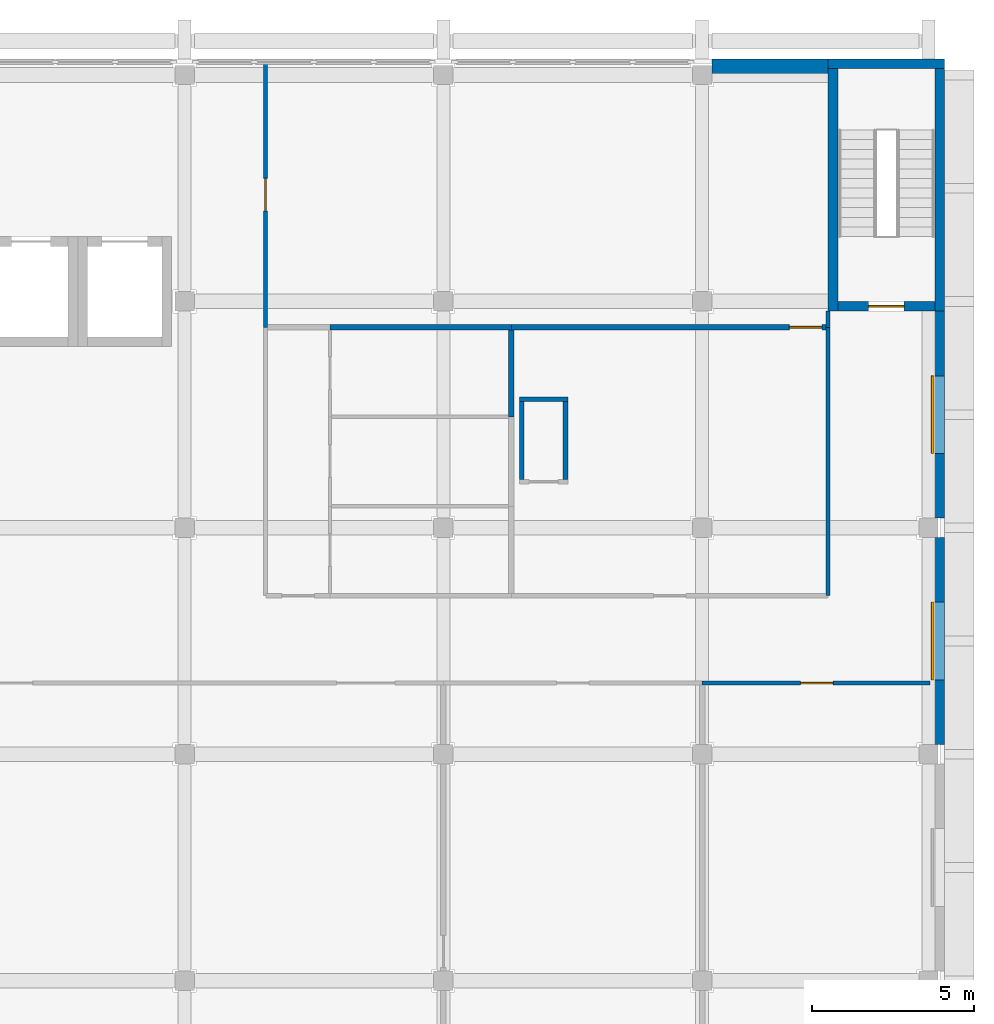
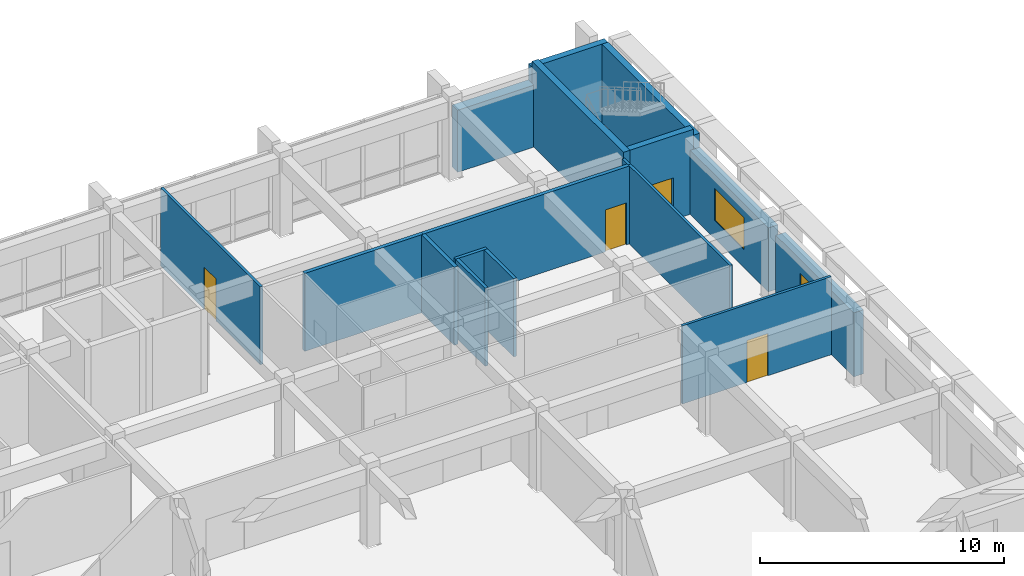
# One storey, part 36 of 43: 17 walls, 4 doors, 2 windows, 6 openings.
"""IFC4 building model written with IfcOpenShell, lengths in metres."""

from ifc_helpers import new_model, si_unit, direction, frame, frame_2d, origin, place, context, subcontext, project, spatial, rectangle, extrude, material, layer, layer_set, type_object, element, fill, save


model = new_model("IFC4")

# Units and contexts
model_context = context("Model", 3, precision=1e-05, world=origin(), true_north=direction((0.0, 1.0)))
body_context = subcontext(model_context, "Body", "Model", "MODEL_VIEW")
ifc_project = project(units=[si_unit("LENGTHUNIT", "METRE"), si_unit("AREAUNIT", "SQUARE_METRE"), si_unit("VOLUMEUNIT", "CUBIC_METRE"), si_unit("PLANEANGLEUNIT", "RADIAN"), si_unit("MASSUNIT", "GRAM", prefix="KILO")], contexts=[model_context])

# Site, building, storey
site_placement = place(None, origin())
site = spatial("IfcSite", under=ifc_project, at=site_placement, CompositionType="ELEMENT")
building_placement = place(site_placement, origin())
building = spatial("IfcBuilding", under=site, at=building_placement, Name="Elmora Arch Market Hall", CompositionType="ELEMENT")
storey_placement = place(building_placement, frame((0.0, 0.0, 10.199951171875)))
storey = spatial("IfcBuildingStorey", under=building, at=storey_placement, Name="L02", CompositionType="ELEMENT", Elevation=10.199951171875)

# Walls
ifc_material_1 = material(Name="Blockwork", Category="masonry")
ifc_layer_1 = layer(ifc_material_1, 0.14990234375)
ifc_layer_set_1 = layer_set([ifc_layer_1], Name="Blockwork")
wall_type_1 = type_object("IfcWallType", Name="Blockwork partition 150 EI 120", PredefinedType="PARTITIONING", material=ifc_layer_set_1)
wall_1_placement = place(storey_placement, frame((120.925048828125, 153.0, 0.0), z_axis=(0.0, 0.0, 1.0), x_axis=(0.0, 1.0, 0.0)))
element("IfcWall", 1, at=wall_1_placement, inside=storey, type_object=wall_type_1, Name="Riser wall L02 06", PredefinedType="PARTITIONING", context=body_context, shape_type="SweptSolid", body=[
    extrude(rectangle(XDim=2.39990234375, YDim=0.14990234375, at=frame_2d((1.199951171875, 0.0))), origin(), (0.0, 0.0, 1.0), 3.900146484375),
])
wall_2_placement = place(storey_placement, frame((120.85009765625, 155.47509765625, 0.0), z_axis=(0.0, 0.0, 1.0), x_axis=(1.0, 0.0, 0.0)))
element("IfcWall", 2, at=wall_2_placement, inside=storey, type_object=wall_type_1, Name="Riser wall L02 07", PredefinedType="PARTITIONING", context=body_context, shape_type="SweptSolid", body=[
    extrude(rectangle(XDim=1.5, YDim=0.14990234375, at=frame_2d((0.75, 0.0))), origin(), (0.0, 0.0, 1.0), 3.900146484375),
])
wall_3_placement = place(storey_placement, frame((122.27490234375, 153.0, 0.0), z_axis=(0.0, 0.0, 1.0), x_axis=(0.0, 1.0, 0.0)))
element("IfcWall", 3, at=wall_3_placement, inside=storey, type_object=wall_type_1, Name="Riser wall L02 08", PredefinedType="PARTITIONING", context=body_context, shape_type="SweptSolid", body=[
    extrude(rectangle(XDim=2.39990234375, YDim=0.14990234375, at=frame_2d((1.199951171875, 0.0))), origin(), (0.0, 0.0, 1.0), 3.900146484375),
])
ifc_material_2 = material(Name="Concrete C40/50", Category="concrete")
ifc_layer_2 = layer(ifc_material_2, 0.300048828125)
ifc_layer_set_2 = layer_set([ifc_layer_2], Name="Concrete C40/50")
wall_type_2 = type_object("IfcWallType", Name="Board-marked concrete wall 300", PredefinedType="SOLIDWALL", material=ifc_layer_set_2)
wall_4_placement = place(storey_placement, frame((130.39990234375, 165.85009765625, 0.0), z_axis=(0.0, 0.0, 1.0), x_axis=(1.0, 0.0, 0.0)))
element("IfcWall", 4, at=wall_4_placement, inside=storey, type_object=wall_type_2, Name="School stair wall N L02 2", PredefinedType="SOLIDWALL", context=body_context, shape_type="SweptSolid", body=[
    extrude(rectangle(XDim=3.60009765625, YDim=0.300048828125, at=frame_2d((1.800048828125, 0.0))), origin(), (0.0, 0.0, 1.0), 3.900146484375),
])
wall_5_placement = place(storey_placement, frame((133.85009765625, 165.699951171875, 0.0), z_axis=(0.0, 0.0, 1.0), x_axis=(0.0, -1.0, 0.0)))
element("IfcWall", 5, at=wall_5_placement, inside=storey, type_object=wall_type_2, Name="School stair wall E L02 1", PredefinedType="SOLIDWALL", context=body_context, shape_type="SweptSolid", body=[
    extrude(rectangle(XDim=7.5, YDim=0.300048828125, at=frame_2d((3.75, 0.0))), origin(), (0.0, 0.0, 1.0), 3.900146484375),
])
ifc_material_3 = material(Name="Concrete C40/50", Category="concrete")
ifc_layer_3 = layer(ifc_material_3, 0.449951171875)
ifc_layer_set_3 = layer_set([ifc_layer_3], Name="Concrete C40/50")
wall_type_3 = type_object("IfcWallType", Name="Board-marked concrete wall 450", PredefinedType="SOLIDWALL", material=ifc_layer_set_3)
wall_6_placement = place(storey_placement, frame((126.800048828125, 165.77490234375, 0.0), z_axis=(0.0, 0.0, 1.0), x_axis=(1.0, 0.0, 0.0)))
element("IfcWall", 6, at=wall_6_placement, inside=storey, type_object=wall_type_3, Name="School facade wall N L02 8", PredefinedType="SOLIDWALL", context=body_context, shape_type="SweptSolid", body=[
    extrude(rectangle(XDim=3.599853515625, YDim=0.449951171875, at=frame_2d((1.7998046875, 0.0))), origin(), (0.0, 0.0, 1.0), 3.10009765625),
])

# Wall, opening, window
wall_7_placement = place(storey_placement, frame((133.77490234375, 151.199951171875, 0.0), z_axis=(0.0, 0.0, 1.0), x_axis=(0.0, -1.0, 0.0)))
wall_7 = element("IfcWall", 7, at=wall_7_placement, inside=storey, type_object=wall_type_3, Name="School facade wall E L02 4", PredefinedType="SOLIDWALL", context=body_context, shape_type="SweptSolid", body=[
    extrude(rectangle(XDim=6.39990234375, YDim=0.449951171875, at=frame_2d((3.199951171875, 0.0))), origin(), (0.0, 0.0, 1.0), 3.199951171875),
])
opening_1_placement = place(wall_7_placement, frame((2.0, 0.0, 0.89990234375)))
opening_1 = element("IfcOpeningElement", 8, at=opening_1_placement, cuts=wall_7, Name="Opening WB2", PredefinedType="OPENING", context=body_context, shape_type="SweptSolid", body=[
    extrude(rectangle(XDim=2.39990234375, YDim=1.60009765625, at=frame_2d((1.199951171875, 0.800048828125))), frame((0.0, 0.23486328125, 0.0), z_axis=(0.0, -1.0, 0.0), x_axis=(1.0, 0.0, 0.0)), (0.0, 0.0, 1.0), 0.469970703125),
])
ifc_material_4 = material(Name="Aluminium", Category="aluminium")
window_type = type_object("IfcWindowType", Name="School end band window 2400x1600", PartitioningType="SINGLE_PANEL", PredefinedType="WINDOW", material=ifc_material_4)
window_1_placement = place(opening_1_placement, origin())
window_1 = element("IfcWindow", 9, at=window_1_placement, inside=storey, type_object=window_type, Name="Window WB2 L02 E113", OverallHeight=1.60009765625, OverallWidth=2.39990234375, PartitioningType="SINGLE_PANEL", PredefinedType="WINDOW", context=body_context, shape_type="SweptSolid", body=[
    extrude(rectangle(XDim=2.39990234375, YDim=1.60009765625, at=frame_2d((1.199951171875, 0.800048828125))), frame((0.0, -0.125, 0.0), z_axis=(0.0, -1.0, 0.0), x_axis=(1.0, 0.0, 0.0)), (0.0, 0.0, 1.0), 0.06005859375),
])
fill(opening_1, window_1)

wall_8_placement = place(storey_placement, frame((133.77490234375, 158.199951171875, 0.0), z_axis=(0.0, 0.0, 1.0), x_axis=(0.0, -1.0, 0.0)))
wall_8 = element("IfcWall", 10, at=wall_8_placement, inside=storey, type_object=wall_type_3, Name="School facade wall E L02 5", PredefinedType="SOLIDWALL", context=body_context, shape_type="SweptSolid", body=[
    extrude(rectangle(XDim=6.39990234375, YDim=0.449951171875, at=frame_2d((3.199951171875, 0.0))), origin(), (0.0, 0.0, 1.0), 3.199951171875),
])
opening_2_placement = place(wall_8_placement, frame((2.0, 0.0, 0.89990234375)))
opening_2 = element("IfcOpeningElement", 11, at=opening_2_placement, cuts=wall_8, Name="Opening WB2", PredefinedType="OPENING", context=body_context, shape_type="SweptSolid", body=[
    extrude(rectangle(XDim=2.39990234375, YDim=1.60009765625, at=frame_2d((1.199951171875, 0.800048828125))), frame((0.0, 0.23486328125, 0.0), z_axis=(0.0, -1.0, 0.0), x_axis=(1.0, 0.0, 0.0)), (0.0, 0.0, 1.0), 0.469970703125),
])
window_2_placement = place(opening_2_placement, origin())
window_2 = element("IfcWindow", 12, at=window_2_placement, inside=storey, type_object=window_type, Name="Window WB2 L02 E114", OverallHeight=1.60009765625, OverallWidth=2.39990234375, PartitioningType="SINGLE_PANEL", PredefinedType="WINDOW", context=body_context, shape_type="SweptSolid", body=[
    extrude(rectangle(XDim=2.39990234375, YDim=1.60009765625, at=frame_2d((1.199951171875, 0.800048828125))), frame((0.0, -0.125, 0.0), z_axis=(0.0, -1.0, 0.0), x_axis=(1.0, 0.0, 0.0)), (0.0, 0.0, 1.0), 0.06005859375),
])
fill(opening_2, window_2)

# Wall, opening, door
ifc_material_5 = material(Name="Gypsum board on metal studs")
ifc_layer_4 = layer(ifc_material_5, 0.125)
ifc_layer_set_4 = layer_set([ifc_layer_4], Name="Gypsum board on metal studs")
wall_type_4 = type_object("IfcWallType", Name="Partition 125 EI 60", PredefinedType="PARTITIONING", material=ifc_layer_set_4)
wall_9_placement = place(storey_placement, frame((126.5, 146.699951171875, 0.0), z_axis=(0.0, 0.0, 1.0), x_axis=(1.0, 0.0, 0.0)))
wall_9 = element("IfcWall", 13, at=wall_9_placement, inside=storey, type_object=wall_type_4, Name="Partition PT-L02-019", PredefinedType="PARTITIONING", context=body_context, shape_type="SweptSolid", body=[
    extrude(rectangle(XDim=7.050048828125, YDim=0.125, at=frame_2d((3.52490234375, 0.0))), origin(), (0.0, 0.0, 1.0), 3.900146484375),
])
opening_3_placement = place(wall_9_placement, frame((3.050048828125, 0.0, 0.0)))
opening_3 = element("IfcOpeningElement", 14, at=opening_3_placement, cuts=wall_9, Name="Opening D-L02-020", PredefinedType="OPENING", context=body_context, shape_type="SweptSolid", body=[
    extrude(rectangle(XDim=1.0, YDim=2.10009765625, at=frame_2d((0.5, 1.050048828125))), frame((0.0, 0.072509765625, 0.0), z_axis=(0.0, -1.0, 0.0), x_axis=(1.0, 0.0, 0.0)), (0.0, 0.0, 1.0), 0.14501953125),
])
ifc_material_6 = material(Name="Steel ASTM A653 galvanised", Category="steel")
door_type_1 = type_object("IfcDoorType", Name="Door 1000 x 2100 FD45", OperationType="SINGLE_SWING_LEFT", PredefinedType="DOOR", material=ifc_material_6)
door_1_placement = place(opening_3_placement, frame((1.0, 0.0, 0.0), z_axis=(0.0, 0.0, 1.0), x_axis=(-1.0, 0.0, 0.0)))
door_1 = element("IfcDoor", 15, at=door_1_placement, inside=storey, type_object=door_type_1, Name="D-L02-020", OperationType="SINGLE_SWING_RIGHT", OverallHeight=2.10009765625, OverallWidth=1.0, PredefinedType="DOOR", context=body_context, shape_type="SweptSolid", body=[
    extrude(rectangle(XDim=1.0, YDim=2.10009765625, at=frame_2d((0.5, 1.050048828125))), frame((0.0, 0.02490234375, 0.0), z_axis=(0.0, -1.0, 0.0), x_axis=(1.0, 0.0, 0.0)), (0.0, 0.0, 1.0), 0.050048828125),
])
fill(opening_3, door_1)

wall_10_placement = place(storey_placement, frame((113.0, 157.699951171875, 0.0), z_axis=(0.0, 0.0, 1.0), x_axis=(0.0, 1.0, 0.0)))
wall_10 = element("IfcWall", 16, at=wall_10_placement, inside=storey, type_object=wall_type_4, Name="Partition PT-L02-050", PredefinedType="PARTITIONING", context=body_context, shape_type="SweptSolid", body=[
    extrude(rectangle(XDim=8.150146484375, YDim=0.125, at=frame_2d((4.0751953125, 0.0))), origin(), (0.0, 0.0, 1.0), 3.900146484375),
])
opening_4_placement = place(wall_10_placement, frame((3.60009765625, 0.0, 0.0)))
opening_4 = element("IfcOpeningElement", 17, at=opening_4_placement, cuts=wall_10, Name="Opening D-L02-033", PredefinedType="OPENING", context=body_context, shape_type="SweptSolid", body=[
    extrude(rectangle(XDim=1.0, YDim=2.10009765625, at=frame_2d((0.5, 1.050048828125))), frame((0.0, 0.072509765625, 0.0), z_axis=(0.0, -1.0, 0.0), x_axis=(1.0, 0.0, 0.0)), (0.0, 0.0, 1.0), 0.14501953125),
])
door_2_placement = place(opening_4_placement, frame((1.0, 0.0, 0.0), z_axis=(0.0, 0.0, 1.0), x_axis=(-1.0, 0.0, 0.0)))
door_2 = element("IfcDoor", 18, at=door_2_placement, inside=storey, type_object=door_type_1, Name="D-L02-033", OperationType="SINGLE_SWING_RIGHT", OverallHeight=2.10009765625, OverallWidth=1.0, PredefinedType="DOOR", context=body_context, shape_type="SweptSolid", body=[
    extrude(rectangle(XDim=1.0, YDim=2.10009765625, at=frame_2d((0.5, 1.050048828125))), frame((0.0, 0.02490234375, 0.0), z_axis=(0.0, -1.0, 0.0), x_axis=(1.0, 0.0, 0.0)), (0.0, 0.0, 1.0), 0.050048828125),
])
fill(opening_4, door_2)

# Walls
wall_11_placement = place(storey_placement, frame((130.39990234375, 149.409912109375, 0.0), z_axis=(0.0, 0.0, 1.0), x_axis=(0.0, 1.0, 0.0)))
element("IfcWall", 19, at=wall_11_placement, inside=storey, type_object=wall_type_4, Name="Partition PT-L02-059", PredefinedType="PARTITIONING", context=body_context, shape_type="SweptSolid", body=[
    extrude(rectangle(XDim=8.2900390625, YDim=0.125, at=frame_2d((4.14501953125, 0.0))), origin(), (0.0, 0.0, 1.0), 3.900146484375),
])
wall_12_placement = place(storey_placement, frame((130.39990234375, 157.699951171875, 0.0), z_axis=(0.0, 0.0, 1.0), x_axis=(0.0, 1.0, 0.0)))
element("IfcWall", 20, at=wall_12_placement, inside=storey, type_object=wall_type_4, Name="Partition PT-L02-060", PredefinedType="PARTITIONING", context=body_context, shape_type="SweptSolid", body=[
    extrude(rectangle(XDim=0.5, YDim=0.125, at=frame_2d((0.25, 0.0))), origin(), (0.0, 0.0, 1.0), 3.900146484375),
])
ifc_material_7 = material(Name="Gypsum board on metal studs")
ifc_layer_5 = layer(ifc_material_7, 0.175048828125)
ifc_layer_set_5 = layer_set([ifc_layer_5], Name="Gypsum board on metal studs")
wall_type_5 = type_object("IfcWallType", Name="Partition 175 EI 60", PredefinedType="PARTITIONING", material=ifc_layer_set_5)
wall_13_placement = place(storey_placement, frame((115.0, 157.699951171875, 0.0), z_axis=(0.0, 0.0, 1.0), x_axis=(1.0, 0.0, 0.0)))
element("IfcWall", 21, at=wall_13_placement, inside=storey, type_object=wall_type_5, Name="Partition PT-L02-028", PredefinedType="PARTITIONING", context=body_context, shape_type="SweptSolid", body=[
    extrude(rectangle(XDim=5.60009765625, YDim=0.175048828125, at=frame_2d((2.800048828125, 0.0))), origin(), (0.0, 0.0, 1.0), 3.900146484375),
])

# Wall, opening, door
wall_14_placement = place(storey_placement, frame((120.60009765625, 157.699951171875, 0.0), z_axis=(0.0, 0.0, 1.0), x_axis=(1.0, 0.0, 0.0)))
wall_14 = element("IfcWall", 22, at=wall_14_placement, inside=storey, type_object=wall_type_5, Name="Partition PT-L02-029", PredefinedType="PARTITIONING", context=body_context, shape_type="SweptSolid", body=[
    extrude(rectangle(XDim=9.7373046875, YDim=0.175048828125, at=frame_2d((4.86865234375, 0.0))), origin(), (0.0, 0.0, 1.0), 3.900146484375),
])
opening_5_placement = place(wall_14_placement, frame((8.60009765625, 0.0, 0.0)))
opening_5 = element("IfcOpeningElement", 23, at=opening_5_placement, cuts=wall_14, Name="Opening D-L02-031", PredefinedType="OPENING", context=body_context, shape_type="SweptSolid", body=[
    extrude(rectangle(XDim=1.0, YDim=2.10009765625, at=frame_2d((0.5, 1.050048828125))), frame((0.0, 0.097412109375, 0.0), z_axis=(0.0, -1.0, 0.0), x_axis=(1.0, 0.0, 0.0)), (0.0, 0.0, 1.0), 0.195068359375),
])
door_3_placement = place(opening_5_placement, frame((1.0, 0.0, 0.0), z_axis=(0.0, 0.0, 1.0), x_axis=(-1.0, 0.0, 0.0)))
door_3 = element("IfcDoor", 24, at=door_3_placement, inside=storey, type_object=door_type_1, Name="D-L02-031", OperationType="SINGLE_SWING_LEFT", OverallHeight=2.10009765625, OverallWidth=1.0, PredefinedType="DOOR", context=body_context, shape_type="SweptSolid", body=[
    extrude(rectangle(XDim=1.0, YDim=2.10009765625, at=frame_2d((0.5, 1.050048828125))), frame((0.0, 0.02490234375, 0.0), z_axis=(0.0, -1.0, 0.0), x_axis=(1.0, 0.0, 0.0)), (0.0, 0.0, 1.0), 0.050048828125),
])
fill(opening_5, door_3)

# Wall
wall_15_placement = place(storey_placement, frame((120.60009765625, 154.933349609375, 0.0), z_axis=(0.0, 0.0, 1.0), x_axis=(0.0, 1.0, 0.0)))
element("IfcWall", 25, at=wall_15_placement, inside=storey, type_object=wall_type_5, Name="Partition PT-L02-057", PredefinedType="PARTITIONING", context=body_context, shape_type="SweptSolid", body=[
    extrude(rectangle(XDim=2.67919921875, YDim=0.175048828125, at=frame_2d((1.339599609375, 0.0))), origin(), (0.0, 0.0, 1.0), 3.900146484375),
])

# Wall, opening, door
ifc_material_8 = material(Name="Concrete C40/50", Category="concrete")
ifc_layer_6 = layer(ifc_material_8, 0.300048828125)
ifc_layer_set_6 = layer_set([ifc_layer_6], Name="Concrete C40/50")
wall_type_6 = type_object("IfcWallType", Name="Stair wall 300", PredefinedType="SHEAR", material=ifc_layer_set_6)
wall_16_placement = place(storey_placement, frame((130.699951171875, 158.35009765625, 0.0), z_axis=(0.0, 0.0, 1.0), x_axis=(1.0, 0.0, 0.0)))
wall_16 = element("IfcWall", 26, at=wall_16_placement, inside=storey, type_object=wall_type_6, Name="Stair wall ST-SCE S L02", PredefinedType="SHEAR", context=body_context, shape_type="SweptSolid", body=[
    extrude(rectangle(XDim=3.0, YDim=0.300048828125, at=frame_2d((1.5, 0.0))), origin(), (0.0, 0.0, 1.0), 4.199951171875),
])
opening_6_placement = place(wall_16_placement, frame((0.949951171875, 0.0, 0.0)))
opening_6 = element("IfcOpeningElement", 27, at=opening_6_placement, cuts=wall_16, Name="Opening ST-SCE-L02", PredefinedType="OPENING", context=body_context, shape_type="SweptSolid", body=[
    extrude(rectangle(XDim=1.10009765625, YDim=2.10009765625, at=frame_2d((0.550048828125, 1.050048828125))), frame((0.0, 0.159912109375, 0.0), z_axis=(0.0, -1.0, 0.0), x_axis=(1.0, 0.0, 0.0)), (0.0, 0.0, 1.0), 0.320068359375),
])
ifc_material_9 = material(Name="Steel ASTM A653 galvanised", Category="steel")
door_type_2 = type_object("IfcDoorType", Name="Stair door 1100 x 2100 FD90", OperationType="SINGLE_SWING_LEFT", PredefinedType="DOOR", material=ifc_material_9)
door_4_placement = place(opening_6_placement, origin())
door_4 = element("IfcDoor", 28, at=door_4_placement, inside=storey, type_object=door_type_2, Name="Stair door ST-SCE L02", OperationType="SINGLE_SWING_LEFT", OverallHeight=2.10009765625, OverallWidth=1.10009765625, PredefinedType="DOOR", context=body_context, shape_type="SweptSolid", body=[
    extrude(rectangle(XDim=1.10009765625, YDim=2.10009765625, at=frame_2d((0.550048828125, 1.050048828125))), frame((0.0, 0.02490234375, 0.0), z_axis=(0.0, -1.0, 0.0), x_axis=(1.0, 0.0, 0.0)), (0.0, 0.0, 1.0), 0.050048828125),
])
fill(opening_6, door_4)

# Wall
wall_17_placement = place(storey_placement, frame((130.550048828125, 158.199951171875, 0.0), z_axis=(0.0, 0.0, 1.0), x_axis=(0.0, 1.0, 0.0)))
element("IfcWall", 29, at=wall_17_placement, inside=storey, type_object=wall_type_6, Name="Stair wall ST-SCE W L02", PredefinedType="SHEAR", context=body_context, shape_type="SweptSolid", body=[
    extrude(rectangle(XDim=7.5, YDim=0.300048828125, at=frame_2d((3.75, 0.0))), origin(), (0.0, 0.0, 1.0), 4.199951171875),
])

save(model, "model.ifc")
